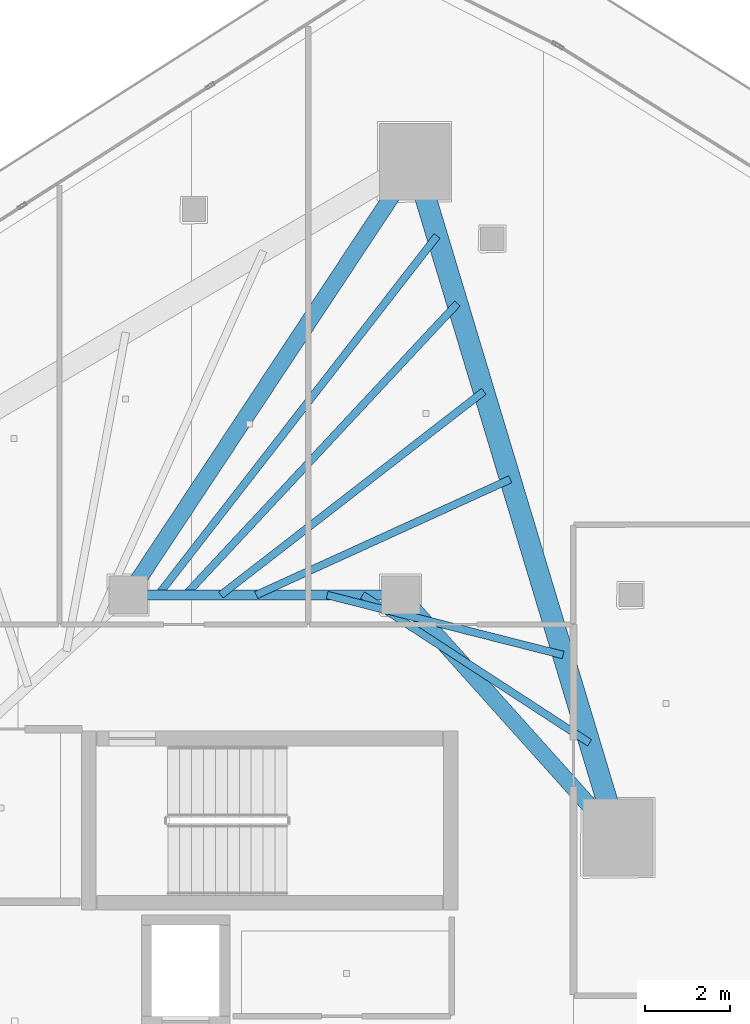
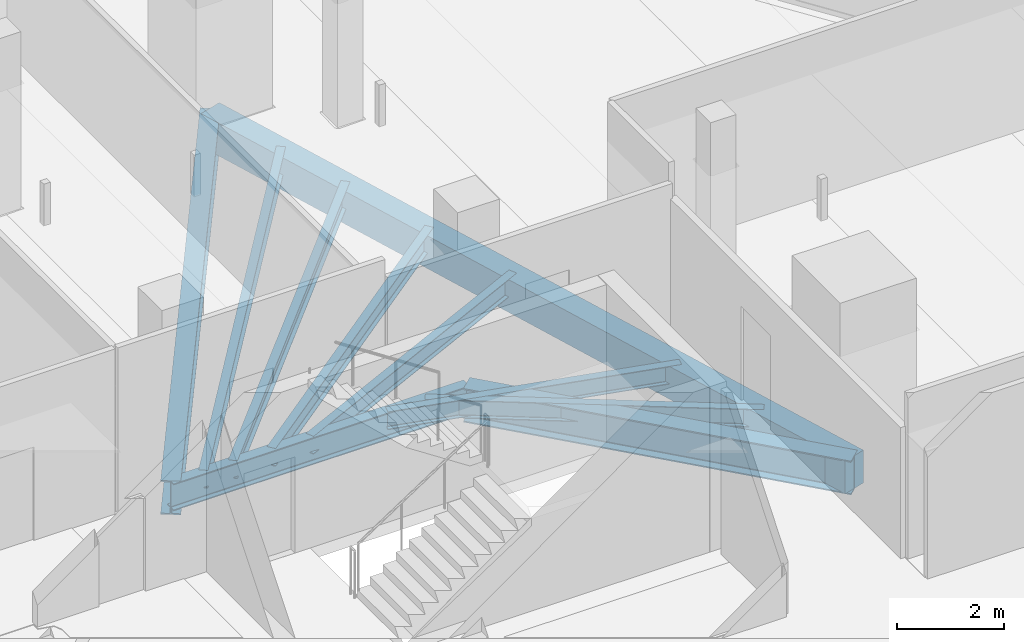
# One storey, part 16 of 32: 10 beams.
"""IFC4 building model written with IfcOpenShell, lengths in metres."""

from ifc_helpers import new_model, si_unit, direction, frame, origin, origin_2d, place, context, subcontext, project, spatial, rectangle, i_section, extrude, material, material_profile, profile_set, type_object, element, save


model = new_model("IFC4")

# Units and contexts
model_context = context("Model", 3, precision=1e-05, world=origin(), true_north=direction((0.0, 1.0)))
body_context = subcontext(model_context, "Body", "Model", "MODEL_VIEW")
ifc_project = project(units=[si_unit("LENGTHUNIT", "METRE"), si_unit("AREAUNIT", "SQUARE_METRE"), si_unit("VOLUMEUNIT", "CUBIC_METRE"), si_unit("PLANEANGLEUNIT", "RADIAN"), si_unit("MASSUNIT", "GRAM", prefix="KILO")], contexts=[model_context])

# Site, building, storey
site_placement = place(None, origin())
site = spatial("IfcSite", under=ifc_project, at=site_placement, CompositionType="ELEMENT")
building_placement = place(site_placement, origin())
building = spatial("IfcBuilding", under=site, at=building_placement, Name="Qorvath Tower", CompositionType="ELEMENT")
storey_placement = place(building_placement, frame((0.0, 0.0, 233.39990234375)))
storey = spatial("IfcBuildingStorey", under=building, at=storey_placement, Name="L54", CompositionType="ELEMENT", Elevation=233.39990234375)

# Beams
ifc_material_1 = material(Name="Steel ASTM A992 Grade 50", Category="steel")
ifc_material_profile_1 = material_profile(ifc_material_1, i_section(OverallWidth=0.381103515625, OverallDepth=0.77294921875, WebThickness=0.0166015625, FlangeThickness=0.027099609375, FilletRadius=0.01904296875, at=origin_2d()), Name="W30x173")
ifc_profile_set_1 = profile_set([ifc_material_profile_1], Name="Steel ASTM A992 Grade 50")
beam_type_1 = type_object("IfcBeamType", Name="BM-FG3", PredefinedType="BEAM", material=ifc_profile_set_1)
beam_1_placement = place(storey_placement, frame((-23.60009765625, 11.449951171875, -0.656494140625), z_axis=(0.551500517741, 0.834174549439, 0.0), x_axis=(-0.834174549439, 0.551500517741, 0.0)))
element("IfcBeam", 1, at=beam_1_placement, inside=storey, type_object=beam_type_1, Name="Radial Floor Girder CC1-MC6 L54", PredefinedType="BEAM", context=body_context, shape_type="SweptSolid", body=[
    extrude(i_section(OverallWidth=0.381103515625, OverallDepth=0.77294921875, WebThickness=0.0166015625, FlangeThickness=0.027099609375, FilletRadius=0.01904296875, at=origin_2d()), origin(), (0.0, 0.0, 1.0), 12.200439453125),
])
beam_2_placement = place(storey_placement, frame((-17.199951171875, 11.449951171875, -0.656494140625), z_axis=(0.667543184261, -0.744571082669, 0.0), x_axis=(0.744571082669, 0.667543184261, 0.0)))
element("IfcBeam", 2, at=beam_2_placement, inside=storey, type_object=beam_type_1, Name="Radial Floor Girder CC2-MC5 L54", PredefinedType="BEAM", context=body_context, shape_type="SweptSolid", body=[
    extrude(i_section(OverallWidth=0.381103515625, OverallDepth=0.77294921875, WebThickness=0.0166015625, FlangeThickness=0.027099609375, FilletRadius=0.01904296875, at=origin_2d()), origin(), (0.0, 0.0, 1.0), 7.644775390625),
])
ifc_material_2 = material(Name="Steel ASTM A992 Grade 50", Category="steel")
ifc_material_profile_2 = material_profile(ifc_material_2, i_section(OverallWidth=0.22998046875, OverallDepth=0.616943359375, WebThickness=0.01318359375, FlangeThickness=0.022216796875, FilletRadius=0.014892578125, at=origin_2d()), Name="W24x94")
ifc_profile_set_2 = profile_set([ifc_material_profile_2], Name="Steel ASTM A992 Grade 50")
beam_type_2 = type_object("IfcBeamType", Name="BM-FG6", PredefinedType="BEAM", material=ifc_profile_set_2)
beam_3_placement = place(storey_placement, frame((-23.60009765625, 11.449951171875, -0.57861328125), z_axis=(1.0, 0.0, 0.0), x_axis=(0.0, 1.0, 0.0)))
element("IfcBeam", 3, at=beam_3_placement, inside=storey, type_object=beam_type_2, Name="Core Ring Girder CC1-CC2 L54", PredefinedType="BEAM", context=body_context, shape_type="SweptSolid", body=[
    extrude(i_section(OverallWidth=0.22998046875, OverallDepth=0.616943359375, WebThickness=0.01318359375, FlangeThickness=0.022216796875, FilletRadius=0.014892578125, at=origin_2d()), origin(), (0.0, 0.0, 1.0), 6.400146484375),
])
ifc_material_3 = material(Name="Steel ASTM A992 Grade 50", Category="steel")
ifc_material_profile_3 = material_profile(ifc_material_3, i_section(OverallWidth=0.177978515625, OverallDepth=0.406005859375, WebThickness=0.0078125, FlangeThickness=0.0126953125, FilletRadius=0.010986328125, at=origin_2d()), Name="W16x40")
ifc_profile_set_3 = profile_set([ifc_material_profile_3], Name="Steel ASTM A992 Grade 50")
beam_type_3 = type_object("IfcBeamType", Name="BM-FJ3", PredefinedType="JOIST", material=ifc_profile_set_3)
beam_4_placement = place(storey_placement, frame((-18.095947265625, 11.449951171875, -0.472900390625), z_axis=(0.838041756057, -0.545606098853, 0.0), x_axis=(0.545606098853, 0.838041756057, 0.0)))
element("IfcBeam", 4, at=beam_4_placement, inside=storey, type_object=beam_type_3, Name="Composite Floor Joist NE1 L54", PredefinedType="JOIST", context=body_context, shape_type="SweptSolid", body=[
    extrude(i_section(OverallWidth=0.177978515625, OverallDepth=0.406005859375, WebThickness=0.0078125, FlangeThickness=0.0126953125, FilletRadius=0.010986328125, at=origin_2d()), origin(), (0.0, 0.0, 1.0), 6.36083984375),
])
beam_5_placement = place(storey_placement, frame((-18.927978515625, 11.449951171875, -0.472900390625), z_axis=(0.969231577698, -0.246150662794, 0.0), x_axis=(0.246150662794, 0.969231577698, 0.0)))
element("IfcBeam", 5, at=beam_5_placement, inside=storey, type_object=beam_type_3, Name="Composite Floor Joist NE2 L54", PredefinedType="JOIST", context=body_context, shape_type="SweptSolid", body=[
    extrude(i_section(OverallWidth=0.177978515625, OverallDepth=0.406005859375, WebThickness=0.0078125, FlangeThickness=0.0126953125, FilletRadius=0.010986328125, at=origin_2d()), origin(), (0.0, 0.0, 1.0), 5.718017578125),
])
beam_6_placement = place(storey_placement, frame((-20.592041015625, 11.449951171875, -0.472900390625), z_axis=(0.909945081179, 0.414728765868, 0.0), x_axis=(-0.414728765868, 0.909945081179, 0.0)))
element("IfcBeam", 6, at=beam_6_placement, inside=storey, type_object=beam_type_3, Name="Composite Floor Joist NE4 L54", PredefinedType="JOIST", context=body_context, shape_type="SweptSolid", body=[
    extrude(i_section(OverallWidth=0.177978515625, OverallDepth=0.406005859375, WebThickness=0.0078125, FlangeThickness=0.0126953125, FilletRadius=0.010986328125, at=origin_2d()), origin(), (0.0, 0.0, 1.0), 6.554931640625),
])
beam_7_placement = place(storey_placement, frame((-21.424072265625, 11.449951171875, -0.472900390625), z_axis=(0.790693445503, 0.612212279555, 0.0), x_axis=(-0.612212279555, 0.790693445503, 0.0)))
element("IfcBeam", 7, at=beam_7_placement, inside=storey, type_object=beam_type_3, Name="Composite Floor Joist NE5 L54", PredefinedType="JOIST", context=body_context, shape_type="SweptSolid", body=[
    extrude(i_section(OverallWidth=0.177978515625, OverallDepth=0.406005859375, WebThickness=0.0078125, FlangeThickness=0.0126953125, FilletRadius=0.010986328125, at=origin_2d()), origin(), (0.0, 0.0, 1.0), 7.810546875),
])
beam_8_placement = place(storey_placement, frame((-22.256103515625, 11.449951171875, -0.472900390625), z_axis=(0.682249490937, 0.731119437654, 0.0), x_axis=(-0.731119437654, 0.682249490937, 0.0)))
element("IfcBeam", 8, at=beam_8_placement, inside=storey, type_object=beam_type_3, Name="Composite Floor Joist NE6 L54", PredefinedType="JOIST", context=body_context, shape_type="SweptSolid", body=[
    extrude(i_section(OverallWidth=0.177978515625, OverallDepth=0.406005859375, WebThickness=0.0078125, FlangeThickness=0.0126953125, FilletRadius=0.010986328125, at=origin_2d()), origin(), (0.0, 0.0, 1.0), 9.362060546875),
])
beam_9_placement = place(storey_placement, frame((-22.89599609375, 11.449951171875, -0.472900390625), z_axis=(0.61345131907, 0.789732536452, 0.0), x_axis=(-0.789732536452, 0.61345131907, 0.0)))
element("IfcBeam", 9, at=beam_9_placement, inside=storey, type_object=beam_type_3, Name="Composite Floor Joist NE7 L54", PredefinedType="JOIST", context=body_context, shape_type="SweptSolid", body=[
    extrude(i_section(OverallWidth=0.177978515625, OverallDepth=0.406005859375, WebThickness=0.0078125, FlangeThickness=0.0126953125, FilletRadius=0.010986328125, at=origin_2d()), origin(), (0.0, 0.0, 1.0), 10.676513671875),
])
ifc_material_4 = material(Name="Concrete C45/55", Category="concrete")
ifc_material_profile_4 = material_profile(ifc_material_4, rectangle(XDim=0.5, YDim=0.75, at=origin_2d()), Name="RCB 750x500")
ifc_profile_set_4 = profile_set([ifc_material_profile_4], Name="Concrete C45/55")
beam_type_4 = type_object("IfcBeamType", Name="BM-RCB3", PredefinedType="SPANDREL", material=ifc_profile_set_4)
beam_10_placement = place(storey_placement, frame((-12.0966796875, 5.7578125, -0.64501953125), z_axis=(-0.28812763802, 0.957592013443, 0.0), x_axis=(-0.957592013443, -0.28812763802, 0.0)))
element("IfcBeam", 10, at=beam_10_placement, inside=storey, type_object=beam_type_4, Name="Perimeter Loggia Frame Beam MC5-MC6 L54", PredefinedType="SPANDREL", context=body_context, shape_type="SweptSolid", body=[
    extrude(rectangle(XDim=0.5, YDim=0.75, at=origin_2d()), origin(), (0.0, 0.0, 1.0), 16.572265625),
])

save(model, "model.ifc")
